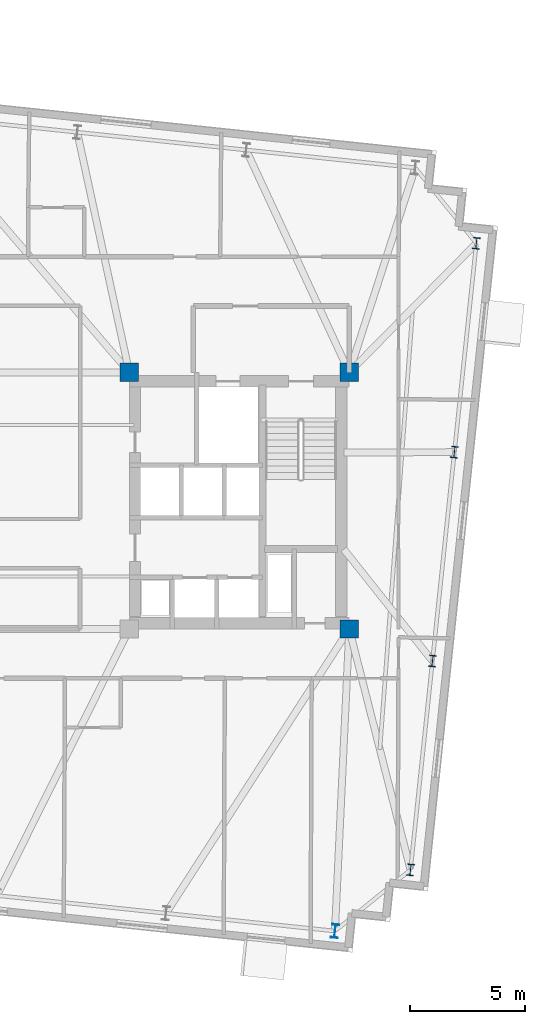
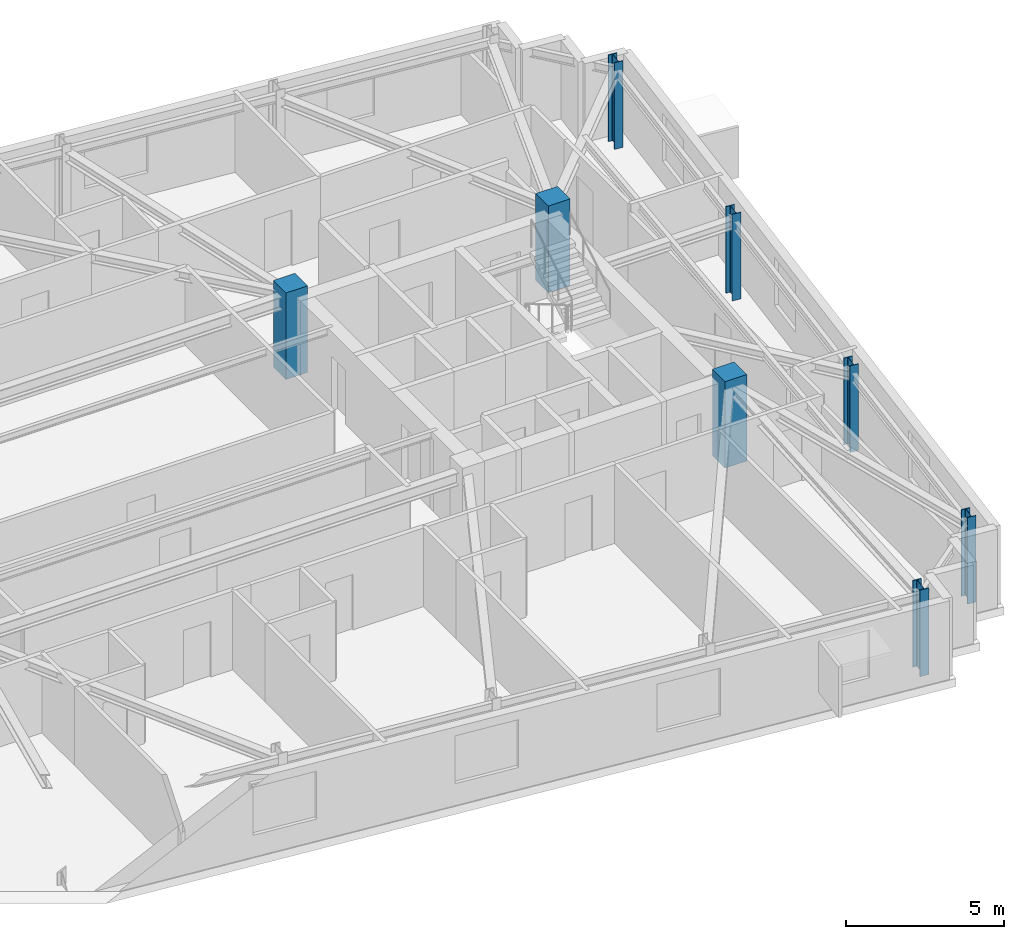
# One storey, part 2 of 11: 8 columns.
"""IFC4 building model written with IfcOpenShell, lengths in metres."""

import ifcopenshell
import ifcopenshell.guid

model = None  # the IFC model being written
_history = None  # IfcOwnerHistory: only IFC2X3 demands one
_inside = {}  # id of a spatial element -> (the spatial element, [elements in it])
_under = {}  # id of a project, library or spatial element -> (it, [spatial elements below it])
_declared = {}  # id of a project -> (the project, [libraries it declares])
_typed = {}  # id of a type object -> (the type object, [elements of that type])
_made_of = {}  # id of a material, layer set ... -> (it, [elements and type objects made of it])


def new_model(schema):
    """Start an empty IFC model of exactly this schema.

    Asked for "IFC4X3", IfcOpenShell would pick the latest addendum, in which some entities
    have other attributes; the version numbers below select the first issue.
    IFC2X3 requires an IfcOwnerHistory on every rooted entity: one is made here for all.
    """
    global model, _history
    if schema == "IFC4X3":
        model = ifcopenshell.file(schema_version=(4, 3, 0, 0))
    else:
        model = ifcopenshell.file(schema=schema)
    _inside.clear()
    _under.clear()
    _declared.clear()
    _typed.clear()
    _made_of.clear()
    _history = None
    if model.schema == "IFC2X3":
        org = make("IfcOrganization", Name="unknown")
        user = make(
            "IfcPersonAndOrganization",
            ThePerson=make("IfcPerson", FamilyName="unknown"),
            TheOrganization=org,
        )
        app = make(
            "IfcApplication",
            ApplicationDeveloper=org,
            Version="unknown",
            ApplicationFullName="unknown",
            ApplicationIdentifier="unknown",
        )
        _history = make(
            "IfcOwnerHistory",
            OwningUser=user,
            OwningApplication=app,
            ChangeAction="ADDED",
            CreationDate=0,
        )
    return model


def make(cls, **values):
    """One entity of the class cls with the attributes given. An attribute that is None is left unset."""
    return model.create_entity(
        cls, **{name: value for name, value in values.items() if value is not None}
    )


def rooted(cls, **values):
    """An entity with a GlobalId (a new one), such as an element, a storey or a relation."""
    return make(cls, GlobalId=ifcopenshell.guid.new(), OwnerHistory=_history, **values)


def si_unit(unit_type, name, prefix=None):
    """IfcSIUnit, for example si_unit("LENGTHUNIT", "METRE", prefix="MILLI")."""
    return make("IfcSIUnit", UnitType=unit_type, Prefix=prefix, Name=name)


def assignment(units):
    """IfcUnitAssignment: the units of a project."""
    return None if units is None else make("IfcUnitAssignment", Units=units)


def point(xyz):
    """IfcCartesianPoint."""
    return None if xyz is None else make("IfcCartesianPoint", Coordinates=xyz)


def direction(xyz):
    """IfcDirection."""
    return None if xyz is None else make("IfcDirection", DirectionRatios=xyz)


def frame(location, z_axis=None, x_axis=None):
    """IfcAxis2Placement3D, a coordinate frame: its origin and axes. An axis left out is left unset."""
    return make(
        "IfcAxis2Placement3D",
        Location=point(location),
        Axis=direction(z_axis),
        RefDirection=direction(x_axis),
    )


def frame_2d(location, x_axis=None):
    """IfcAxis2Placement2D, a coordinate frame in the plane: its origin and x axis."""
    return make(
        "IfcAxis2Placement2D", Location=point(location), RefDirection=direction(x_axis)
    )


def origin():
    """The frame at (0, 0, 0) with its axes left unset."""
    return frame((0.0, 0.0, 0.0))


def origin_2d():
    """The frame at (0, 0) in the plane with its x axis left unset."""
    return frame_2d((0.0, 0.0))


def place(relative_to, where):
    """IfcLocalPlacement: puts the frame where relative to a parent placement (None: the world)."""
    return make(
        "IfcLocalPlacement", PlacementRelTo=relative_to, RelativePlacement=where
    )


def context(
    kind, dimensions, precision=None, world=None, true_north=None, identifier=None
):
    """IfcGeometricRepresentationContext, for example the 3D "Model" context."""
    return make(
        "IfcGeometricRepresentationContext",
        ContextIdentifier=identifier,
        ContextType=kind,
        CoordinateSpaceDimension=dimensions,
        Precision=precision,
        WorldCoordinateSystem=world,
        TrueNorth=true_north,
    )


def subcontext(parent, identifier, kind, view, scale=None):
    """IfcGeometricRepresentationSubContext, for example "Body" below "Model"."""
    return make(
        "IfcGeometricRepresentationSubContext",
        ContextIdentifier=identifier,
        ContextType=kind,
        ParentContext=parent,
        TargetScale=scale,
        TargetView=view,
    )


def project(units=None, contexts=None):
    """IfcProject with its units and contexts."""
    return rooted(
        "IfcProject",
        Name="project",
        RepresentationContexts=contexts,
        UnitsInContext=assignment(units),
    )


def spatial(cls, under=None, at=None, **own):
    """A site, building, storey or space (cls), placed at a placement, below another one or the project."""
    s = rooted(cls, ObjectPlacement=at, **own)
    if under is not None:
        _under.setdefault(under.id(), (under, []))[1].append(s)
    return s


def profile(cls, at=None, kind="AREA", **sizes):
    """A parametric profile (cls). Its sizes go by their IFC names, for example OverallWidth=200.0."""
    return make(cls, ProfileType=kind, Position=at, **sizes)


def rectangle(**sizes):
    """IfcRectangleProfileDef."""
    return profile("IfcRectangleProfileDef", **sizes)


def i_section(**sizes):
    """IfcIShapeProfileDef."""
    return profile("IfcIShapeProfileDef", **sizes)


def extrude(swept, where, along, depth):
    """IfcExtrudedAreaSolid: the profile swept, set in the frame where, extruded along a direction by depth."""
    return make(
        "IfcExtrudedAreaSolid",
        SweptArea=swept,
        Position=where,
        ExtrudedDirection=direction(along),
        Depth=depth,
    )


def shape(context_of_items, identifier, shape_type, items):
    """IfcShapeRepresentation: the items that make up one representation, for example the "Body"."""
    return make(
        "IfcShapeRepresentation",
        ContextOfItems=context_of_items,
        RepresentationIdentifier=identifier,
        RepresentationType=shape_type,
        Items=items,
    )


def material(Name=None, Category=None):
    """IfcMaterial."""
    return make("IfcMaterial", Name=Name, Category=Category)


def material_profile(
    of_material, cross_section, Name=None, Category=None, Priority=None
):
    """IfcMaterialProfile: a cross section and its material."""
    return make(
        "IfcMaterialProfile",
        Name=Name,
        Material=of_material,
        Profile=cross_section,
        Priority=Priority,
        Category=Category,
    )


def profile_set(profiles, Name=None, composite=None):
    """IfcMaterialProfileSet."""
    return make(
        "IfcMaterialProfileSet",
        Name=Name,
        MaterialProfiles=profiles,
        CompositeProfile=composite,
    )


def made_of(thing, what):
    """Note that an element or type object is made of a material, layer set ...; save() writes the relation."""
    if what is not None:
        _made_of.setdefault(what.id(), (what, []))[1].append(thing)
    return thing


def type_object(cls, material=None, **own):
    """A type object (cls), such as IfcWallType, which elements share."""
    return made_of(rooted(cls, **own), material)


def element(
    cls,
    number,
    at=None,
    inside=None,
    cuts=None,
    type_object=None,
    material=None,
    context=None,
    identifier="Body",
    shape_type=None,
    held_by="IfcProductDefinitionShape",
    body=None,
    shapes=None,
    **own,
):
    """One element of the class cls, such as IfcWall. Its Tag is "e" and its number.

    at: its placement. inside: the storey or other place that contains it. cuts: it is an
    opening in that element (IfcRelVoidsElement). A single representation is given by context,
    identifier, shape_type and body (its items); several are given by shapes. held_by: the class
    of the entity that holds the representations. save() writes the other relations.
    """
    e = rooted(cls, Tag="e%d" % number, ObjectPlacement=at, **own)
    if body is not None:
        shapes = [shape(context, identifier, shape_type, body)]
    if shapes is not None:
        e.Representation = make(held_by, Representations=shapes)
    if inside is not None:
        _inside.setdefault(inside.id(), (inside, []))[1].append(e)
    if cuts is not None:
        rooted(
            "IfcRelVoidsElement", RelatingBuildingElement=cuts, RelatedOpeningElement=e
        )
    if type_object is not None:
        _typed.setdefault(type_object.id(), (type_object, []))[1].append(e)
    return made_of(e, material)


def aggregate(whole, parts):
    """IfcRelAggregates: a whole, such as a stair, and the parts it consists of."""
    return rooted("IfcRelAggregates", RelatingObject=whole, RelatedObjects=parts)


def save(model, path):
    """Write the relations noted so far, then the file.

    IfcRelAggregates (storeys below a building ...), IfcRelContainedInSpatialStructure (elements
    in a storey), IfcRelDefinesByType, IfcRelAssociatesMaterial and IfcRelDeclares: one each for
    every whole, place, type object, material and project.
    """
    for whole, parts in _under.values():
        aggregate(whole, parts)
    for where, things in _inside.values():
        rooted(
            "IfcRelContainedInSpatialStructure",
            RelatedElements=things,
            RelatingStructure=where,
        )
    for kind, things in _typed.values():
        rooted("IfcRelDefinesByType", RelatedObjects=things, RelatingType=kind)
    for what, things in _made_of.values():
        rooted("IfcRelAssociatesMaterial", RelatedObjects=things, RelatingMaterial=what)
    for by, libraries in _declared.values():
        rooted("IfcRelDeclares", RelatingContext=by, RelatedDefinitions=libraries)
    model.write(path)


model = new_model("IFC4")

# Units and contexts
model_context = context("Model", 3, precision=1e-05, world=origin(), true_north=direction((0.0, 1.0)))
body_context = subcontext(model_context, "Body", "Model", "MODEL_VIEW")
ifc_project = project(units=[si_unit("LENGTHUNIT", "METRE"), si_unit("AREAUNIT", "SQUARE_METRE"), si_unit("VOLUMEUNIT", "CUBIC_METRE"), si_unit("PLANEANGLEUNIT", "RADIAN"), si_unit("MASSUNIT", "GRAM", prefix="KILO")], contexts=[model_context])

# Site, building, storey
site_placement = place(None, origin())
site = spatial("IfcSite", under=ifc_project, at=site_placement, CompositionType="ELEMENT")
building_placement = place(site_placement, origin())
building = spatial("IfcBuilding", under=site, at=building_placement, Name="Qobustan Lattice House", CompositionType="ELEMENT")
storey_placement = place(building_placement, frame((0.0, 0.0, 209.800048828125)))
storey = spatial("IfcBuildingStorey", under=building, at=storey_placement, Name="L59", CompositionType="ELEMENT", Elevation=209.800048828125)

# Columns
ifc_material_1 = material(Name="Concrete C50/60", Category="concrete")
ifc_material_profile_1 = material_profile(ifc_material_1, rectangle(XDim=0.800048828125, YDim=0.800048828125, at=origin_2d()), Name="RC800x800")
ifc_profile_set_1 = profile_set([ifc_material_profile_1], Name="Concrete C50/60")
column_type_1 = type_object("IfcColumnType", Name="COL-RC-800", PredefinedType="COLUMN", material=ifc_profile_set_1)
for number, where, z_axis, x_axis, name in (
    (1, (9.199951171875, 5.60009765625, 0.0), (0.0, 0.0, 1.0), (1.0, 0.0, 0.0), "L59 core mega-column CE-NW"),
    (2, (18.800048828125, -5.60009765625, 0.0), (0.0, 0.0, 1.0), (1.0, 0.0, 0.0), "L59 core mega-column CE-SE"),
    (3, (18.800048828125, 5.60009765625, 0.0), (0.0, 0.0, 1.0), (1.0, 0.0, 0.0), "L59 core mega-column CE-NE"),
):
    element("IfcColumn", number, at=place(storey_placement, frame(where, z_axis=z_axis, x_axis=x_axis)), inside=storey, type_object=column_type_1, Name=name, PredefinedType="COLUMN", context=body_context, shape_type="SweptSolid", body=[
        extrude(rectangle(XDim=0.800048828125, YDim=0.800048828125, at=origin_2d()), origin(), (0.0, 0.0, 1.0), 3.349853515625),
    ])
ifc_material_2 = material(Name="Steel S355", Category="steel")
ifc_material_profile_2 = material_profile(ifc_material_2, i_section(OverallWidth=0.300048828125, OverallDepth=0.5, WebThickness=0.014404296875, FlangeThickness=0.028076171875, FilletRadius=0.027099609375, at=origin_2d()), Name="HEB500")
ifc_profile_set_2 = profile_set([ifc_material_profile_2], Name="Steel S355")
column_type_2 = type_object("IfcColumnType", Name="COL-ST-HEB500", PredefinedType="COLUMN", material=ifc_profile_set_2)
for number, where, z_axis, x_axis, name in (
    (4, (21.474365234375, -16.114013671875, 0.0), (0.0, 0.0, 1.0), (0.994521895368, -0.104528463268, 0.0), "L59 B4 perimeter column E1"),
    (5, (22.4326171875, -6.99755859375, 0.0), (0.0, 0.0, 1.0), (0.994521895368, -0.104528463268, 0.0), "L59 B4 perimeter column E2"),
    (6, (23.390869140625, 2.118896484375, 0.0), (0.0, 0.0, 1.0), (0.994521895368, -0.104528463268, 0.0), "L59 B4 perimeter column E3"),
    (7, (24.348876953125, 11.2353515625, 0.0), (0.0, 0.0, 1.0), (0.994521895368, -0.104528463268, 0.0), "L59 B4 perimeter column E4"),
):
    element("IfcColumn", number, at=place(storey_placement, frame(where, z_axis=z_axis, x_axis=x_axis)), inside=storey, type_object=column_type_2, Name=name, PredefinedType="COLUMN", context=body_context, shape_type="SweptSolid", body=[
        extrude(i_section(OverallWidth=0.300048828125, OverallDepth=0.5, WebThickness=0.014404296875, FlangeThickness=0.028076171875, FilletRadius=0.027099609375, at=origin_2d()), origin(), (0.0, 0.0, 1.0), 3.349853515625),
    ])
ifc_material_3 = material(Name="Steel S355", Category="steel")
ifc_material_profile_3 = material_profile(ifc_material_3, i_section(OverallWidth=0.300048828125, OverallDepth=0.60009765625, WebThickness=0.015380859375, FlangeThickness=0.030029296875, FilletRadius=0.027099609375, at=origin_2d()), Name="HEB600")
ifc_profile_set_3 = profile_set([ifc_material_profile_3], Name="Steel S355")
column_type_3 = type_object("IfcColumnType", Name="COL-ST-HEB600", PredefinedType="COLUMN", material=ifc_profile_set_3)
column_placement = place(storey_placement, frame((18.17724609375, -18.783935546875, 0.0), z_axis=(0.0, 0.0, 1.0), x_axis=(0.994521895368, -0.104528463268, 0.0)))
element("IfcColumn", 8, at=column_placement, inside=storey, type_object=column_type_3, Name="L59 B4 perimeter column S7", PredefinedType="COLUMN", context=body_context, shape_type="SweptSolid", body=[
    extrude(i_section(OverallWidth=0.300048828125, OverallDepth=0.60009765625, WebThickness=0.015380859375, FlangeThickness=0.030029296875, FilletRadius=0.027099609375, at=origin_2d()), origin(), (0.0, 0.0, 1.0), 3.349853515625),
])

save(model, "model.ifc")
